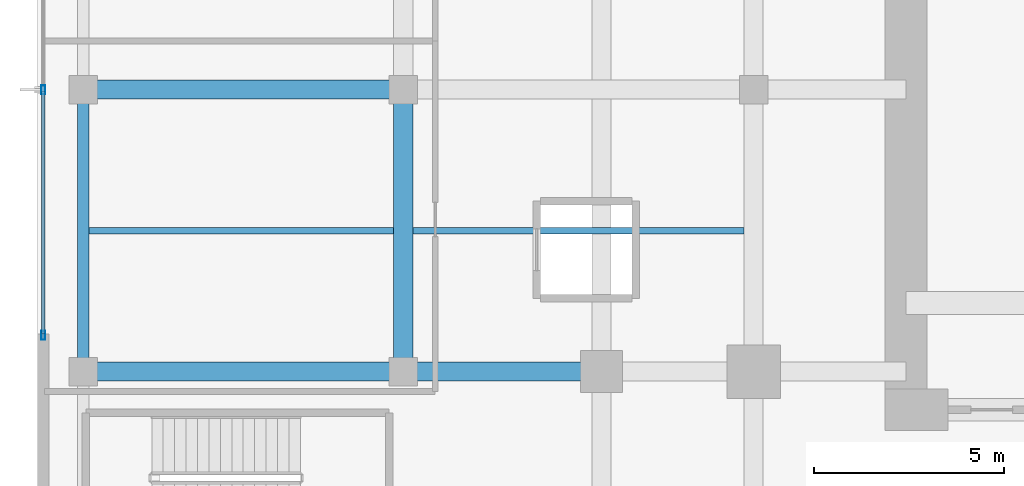
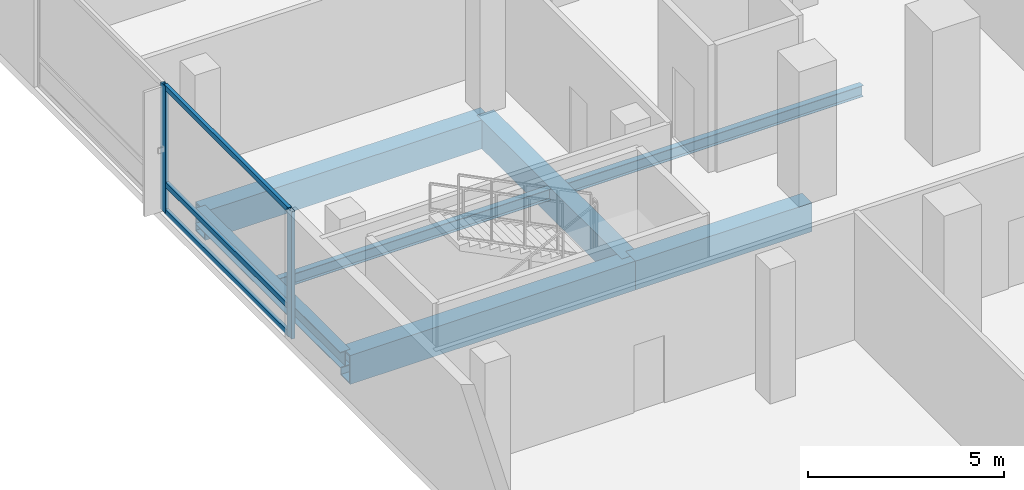
# One storey, part 2 of 19: 7 beams, 5 members, 1 element without a shape of its own.
"""IFC4 building model written with IfcOpenShell, lengths in metres."""

from ifc_helpers import new_model, si_unit, direction, frame, origin, origin_2d, place, context, subcontext, project, spatial, hollow_rectangle, i_section, extrude, material, layer, layer_set, material_profile, profile_set, type_object, element, aggregate, save


model = new_model("IFC4")

# Units and contexts
model_context = context("Model", 3, precision=1e-05, world=origin(), true_north=direction((0.0, 1.0)))
body_context = subcontext(model_context, "Body", "Model", "MODEL_VIEW")
ifc_project = project(units=[si_unit("LENGTHUNIT", "METRE"), si_unit("AREAUNIT", "SQUARE_METRE"), si_unit("VOLUMEUNIT", "CUBIC_METRE"), si_unit("PLANEANGLEUNIT", "RADIAN"), si_unit("MASSUNIT", "GRAM", prefix="KILO")], contexts=[model_context])

# Site, building, storey
site_placement = place(None, origin())
site = spatial("IfcSite", under=ifc_project, at=site_placement, CompositionType="ELEMENT")
building_placement = place(site_placement, origin())
building = spatial("IfcBuilding", under=site, at=building_placement, Name="Khorvyn Point Tower", CompositionType="ELEMENT")
storey_placement = place(building_placement, frame((0.0, 0.0, 13.199951171875)))
storey = spatial("IfcBuildingStorey", under=building, at=storey_placement, Name="L04", CompositionType="ELEMENT", Elevation=13.199951171875)

# Curtain wall, members
ifc_material_1 = material(Name="Anodised aluminium 6063-T6 and laminated Low-E glass", Category="aluminium")
ifc_layer = layer(ifc_material_1, 0.18994140625)
ifc_layer_set = layer_set([ifc_layer], Name="Stick-Built Low-E Podium Curtain Wall CW-SYS-01")
curtain_wall_type = type_object("IfcCurtainWallType", Name="Stick-Built Low-E Podium Curtain Wall CW-SYS-01", PredefinedType="NOTDEFINED", material=ifc_layer_set)
curtain_wall_placement = place(storey_placement, origin())
curtain_wall = element("IfcCurtainWall", 1, at=curtain_wall_placement, inside=storey, type_object=curtain_wall_type, Name="Curtain Wall", PredefinedType="NOTDEFINED")
ifc_material_2 = material(Name="Anodised aluminium 6063-T6", Category="aluminium")
ifc_material_profile_1 = material_profile(ifc_material_2, hollow_rectangle(XDim=0.10009765625, YDim=0.239990234375, WallThickness=0.0048828125, at=origin_2d()))
ifc_profile_set_1 = profile_set([ifc_material_profile_1], Name="Anodised aluminium 6063-T6 ALU-MUL-100x240")
member_type_1 = type_object("IfcMemberType", Name="Anodised Aluminium 6063-T6 Mullion ALU-MUL-100x240", PredefinedType="MULLION", material=ifc_profile_set_1)
member_1_placement = place(storey_placement, frame((-33.449951171875, -6.449951171875, 0.0), z_axis=(0.0, 0.0, 1.0), x_axis=(-1.0, 0.0, 0.0)))
member_1 = element("IfcMember", 2, at=member_1_placement, type_object=member_type_1, Name="Transom", PredefinedType="MULLION", context=body_context, shape_type="SweptSolid", body=[
    extrude(hollow_rectangle(XDim=0.10009765625, YDim=0.239990234375, WallThickness=0.0048828125, at=origin_2d()), origin(), (0.0, 0.0, 1.0), 3.9599609375),
])
member_2_placement = place(storey_placement, frame((-33.449951171875, 0.0, 0.0), z_axis=(0.0, 0.0, 1.0), x_axis=(-1.0, 0.0, 0.0)))
member_2 = element("IfcMember", 3, at=member_2_placement, type_object=member_type_1, Name="Transom", PredefinedType="MULLION", context=body_context, shape_type="SweptSolid", body=[
    extrude(hollow_rectangle(XDim=0.10009765625, YDim=0.239990234375, WallThickness=0.0048828125, at=origin_2d()), origin(), (0.0, 0.0, 1.0), 3.9599609375),
])
ifc_material_profile_2 = material_profile(ifc_material_2, hollow_rectangle(XDim=0.10009765625, YDim=0.159912109375, WallThickness=0.00439453125, at=origin_2d()))
ifc_profile_set_2 = profile_set([ifc_material_profile_2], Name="Anodised aluminium 6063-T6 ALU-TRN-100x160")
member_type_2 = type_object("IfcMemberType", Name="Anodised Aluminium 6063-T6 Transom ALU-TRN-100x160", PredefinedType="USERDEFINED", material=ifc_profile_set_2)
member_3_placement = place(storey_placement, frame((-33.449951171875, -6.39990234375, 0.050048828125), z_axis=(0.0, 1.0, 0.0), x_axis=(-1.0, 0.0, 0.0)))
member_3 = element("IfcMember", 4, at=member_3_placement, type_object=member_type_2, Name="Transom", ObjectType="TRANSOM", PredefinedType="USERDEFINED", context=body_context, shape_type="SweptSolid", body=[
    extrude(hollow_rectangle(XDim=0.10009765625, YDim=0.159912109375, WallThickness=0.00439453125, at=origin_2d()), origin(), (0.0, 0.0, 1.0), 6.349853515625),
])
member_4_placement = place(storey_placement, frame((-33.449951171875, -6.39990234375, 0.900146484375), z_axis=(0.0, 1.0, 0.0), x_axis=(-1.0, 0.0, 0.0)))
member_4 = element("IfcMember", 5, at=member_4_placement, type_object=member_type_2, Name="Transom", ObjectType="TRANSOM", PredefinedType="USERDEFINED", context=body_context, shape_type="SweptSolid", body=[
    extrude(hollow_rectangle(XDim=0.10009765625, YDim=0.159912109375, WallThickness=0.00439453125, at=origin_2d()), origin(), (0.0, 0.0, 1.0), 6.349853515625),
])
member_5_placement = place(storey_placement, frame((-33.449951171875, -6.39990234375, 3.91015625), z_axis=(0.0, 1.0, 0.0), x_axis=(-1.0, 0.0, 0.0)))
member_5 = element("IfcMember", 6, at=member_5_placement, type_object=member_type_2, Name="Transom", ObjectType="TRANSOM", PredefinedType="USERDEFINED", context=body_context, shape_type="SweptSolid", body=[
    extrude(hollow_rectangle(XDim=0.10009765625, YDim=0.159912109375, WallThickness=0.00439453125, at=origin_2d()), origin(), (0.0, 0.0, 1.0), 6.349853515625),
])
aggregate(curtain_wall, [member_1, member_2, member_3, member_4, member_5])

# Beams
ifc_material_3 = material(Name="Steel S355", Category="steel")
ifc_material_profile_3 = material_profile(ifc_material_3, i_section(OverallWidth=0.175048828125, OverallDepth=0.35009765625, WebThickness=0.007080078125, FlangeThickness=0.010986328125, at=origin_2d()))
ifc_profile_set_3 = profile_set([ifc_material_profile_3], Name="Steel S355 H350x175x7x11")
beam_type_1 = type_object("IfcBeamType", Name="Steel S355 Joist H350x175x7x11", PredefinedType="JOIST", material=ifc_profile_set_3)
beam_1_placement = place(storey_placement, frame((-32.25, -3.699951171875, -0.4150390625), z_axis=(1.0, 0.0, 0.0), x_axis=(0.0, 1.0, 0.0)))
element("IfcBeam", 7, at=beam_1_placement, inside=storey, type_object=beam_type_1, Name="Beam", PredefinedType="JOIST", context=body_context, shape_type="SweptSolid", body=[
    extrude(i_section(OverallWidth=0.175048828125, OverallDepth=0.35009765625, WebThickness=0.007080078125, FlangeThickness=0.010986328125, at=origin_2d()), origin(), (0.0, 0.0, 1.0), 8.0),
])
beam_2_placement = place(storey_placement, frame((-23.75, -3.699951171875, -0.4150390625), z_axis=(1.0, 0.0, 0.0), x_axis=(0.0, 1.0, 0.0)))
element("IfcBeam", 8, at=beam_2_placement, inside=storey, type_object=beam_type_1, Name="Beam", PredefinedType="JOIST", context=body_context, shape_type="SweptSolid", body=[
    extrude(i_section(OverallWidth=0.175048828125, OverallDepth=0.35009765625, WebThickness=0.007080078125, FlangeThickness=0.010986328125, at=origin_2d()), origin(), (0.0, 0.0, 1.0), 8.699951171875),
])
ifc_material_profile_4 = material_profile(ifc_material_3, i_section(OverallWidth=0.300048828125, OverallDepth=0.488037109375, WebThickness=0.010986328125, FlangeThickness=0.01806640625, at=origin_2d()))
ifc_profile_set_4 = profile_set([ifc_material_profile_4], Name="Steel S355 H488x300x11x18")
beam_type_2 = type_object("IfcBeamType", Name="Steel S355 Spandrel H488x300x11x18", PredefinedType="SPANDREL", material=ifc_profile_set_4)
beam_3_placement = place(storey_placement, frame((-32.39990234375, -7.39990234375, -0.48388671875), z_axis=(0.0, 1.0, 0.0), x_axis=(-1.0, 0.0, 0.0)))
element("IfcBeam", 9, at=beam_3_placement, inside=storey, type_object=beam_type_2, Name="Beam", PredefinedType="SPANDREL", context=body_context, shape_type="SweptSolid", body=[
    extrude(i_section(OverallWidth=0.300048828125, OverallDepth=0.488037109375, WebThickness=0.010986328125, FlangeThickness=0.01806640625, at=origin_2d()), origin(), (0.0, 0.0, 1.0), 7.39990234375),
])
ifc_material_4 = material(Name="Steel S450", Category="steel")
ifc_material_profile_5 = material_profile(ifc_material_4, hollow_rectangle(XDim=0.5, YDim=0.89990234375, WallThickness=0.0400390625, at=origin_2d()))
ifc_profile_set_5 = profile_set([ifc_material_profile_5], Name="Steel S450 BOX900x500x40")
beam_type_3 = type_object("IfcBeamType", Name="Steel S450 Beam BOX900x500x40", PredefinedType="BEAM", material=ifc_profile_set_5)
beam_4_placement = place(storey_placement, frame((-32.39990234375, -7.39990234375, -0.68994140625), z_axis=(1.0, 0.0, 0.0), x_axis=(0.0, 1.0, 0.0)))
element("IfcBeam", 10, at=beam_4_placement, inside=storey, type_object=beam_type_3, Name="Beam", PredefinedType="BEAM", context=body_context, shape_type="SweptSolid", body=[
    extrude(hollow_rectangle(XDim=0.5, YDim=0.89990234375, WallThickness=0.0400390625, at=origin_2d()), origin(), (0.0, 0.0, 1.0), 8.39990234375),
])
beam_5_placement = place(storey_placement, frame((-24.0, -7.39990234375, -0.68994140625), z_axis=(1.0, 0.0, 0.0), x_axis=(0.0, 1.0, 0.0)))
element("IfcBeam", 11, at=beam_5_placement, inside=storey, type_object=beam_type_3, Name="Beam", PredefinedType="BEAM", context=body_context, shape_type="SweptSolid", body=[
    extrude(hollow_rectangle(XDim=0.5, YDim=0.89990234375, WallThickness=0.0400390625, at=origin_2d()), origin(), (0.0, 0.0, 1.0), 5.199951171875),
])
beam_6_placement = place(storey_placement, frame((-32.39990234375, 0.0, -0.68994140625), z_axis=(1.0, 0.0, 0.0), x_axis=(0.0, 1.0, 0.0)))
element("IfcBeam", 12, at=beam_6_placement, inside=storey, type_object=beam_type_3, Name="Beam", PredefinedType="BEAM", context=body_context, shape_type="SweptSolid", body=[
    extrude(hollow_rectangle(XDim=0.5, YDim=0.89990234375, WallThickness=0.0400390625, at=origin_2d()), origin(), (0.0, 0.0, 1.0), 8.39990234375),
])
beam_7_placement = place(storey_placement, frame((-24.0, -7.39990234375, -0.68994140625), z_axis=(0.0, 1.0, 0.0), x_axis=(-1.0, 0.0, 0.0)))
element("IfcBeam", 13, at=beam_7_placement, inside=storey, type_object=beam_type_3, Name="Beam", PredefinedType="BEAM", context=body_context, shape_type="SweptSolid", body=[
    extrude(hollow_rectangle(XDim=0.5, YDim=0.89990234375, WallThickness=0.0400390625, at=origin_2d()), origin(), (0.0, 0.0, 1.0), 7.39990234375),
])

save(model, "model.ifc")
